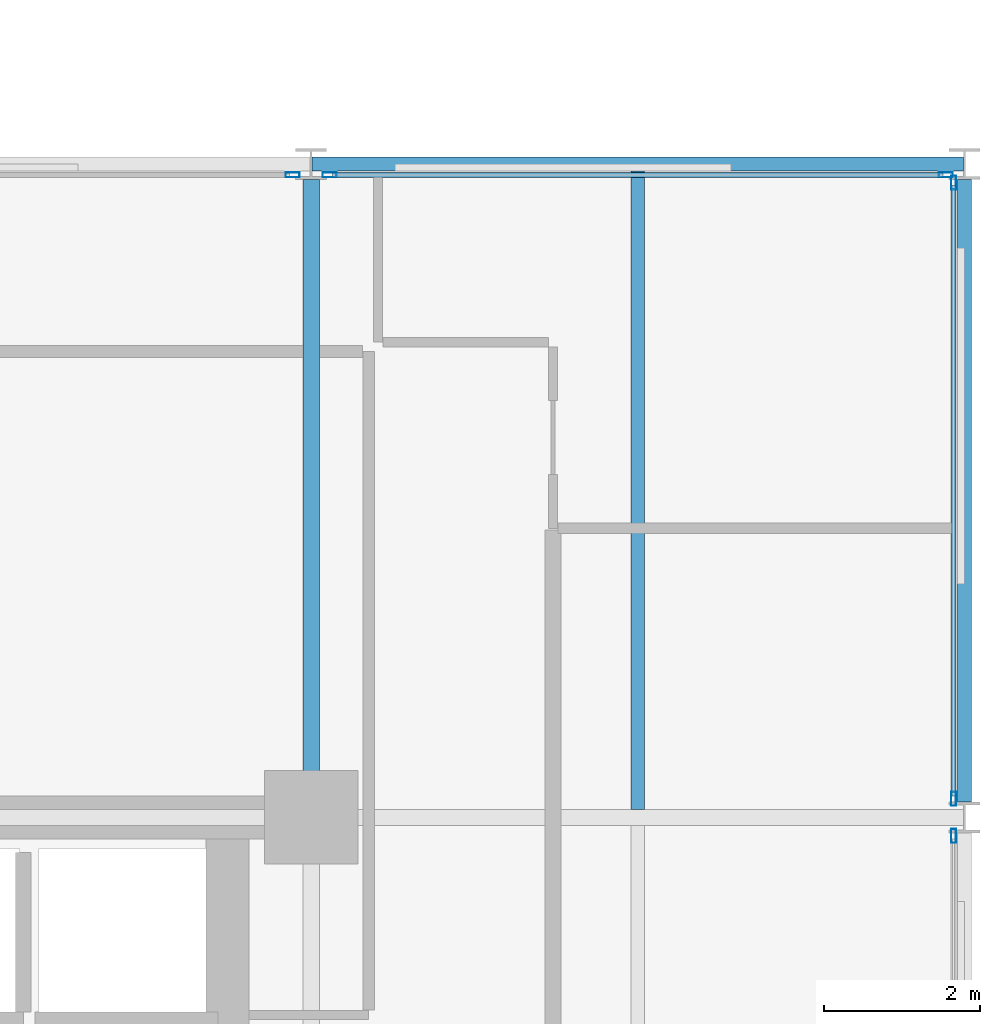
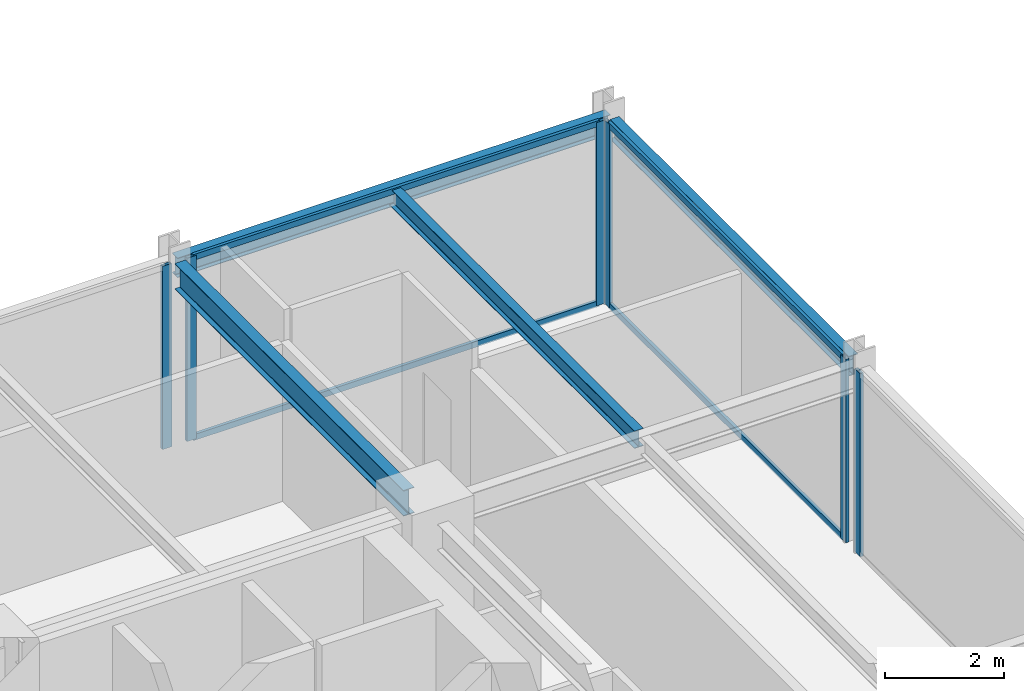
# One storey, part 15 of 29: 10 members, 4 beams, 4 elements without a shape of their own.
"""IFC4 building model written with IfcOpenShell, lengths in metres."""

from ifc_helpers import new_model, si_unit, direction, frame, origin, origin_2d, place, context, subcontext, project, spatial, hollow_rectangle, i_section, extrude, material, layer, layer_set, material_profile, profile_set, type_object, element, aggregate, save


model = new_model("IFC4")

# Units and contexts
model_context = context("Model", 3, precision=1e-05, world=origin(), true_north=direction((0.0, 1.0)))
body_context = subcontext(model_context, "Body", "Model", "MODEL_VIEW")
ifc_project = project(units=[si_unit("LENGTHUNIT", "METRE"), si_unit("AREAUNIT", "SQUARE_METRE"), si_unit("VOLUMEUNIT", "CUBIC_METRE"), si_unit("PLANEANGLEUNIT", "RADIAN"), si_unit("MASSUNIT", "GRAM", prefix="KILO")], contexts=[model_context])

# Site, building, storey
site_placement = place(None, origin())
site = spatial("IfcSite", under=ifc_project, at=site_placement, CompositionType="ELEMENT")
building_placement = place(site_placement, origin())
building = spatial("IfcBuilding", under=site, at=building_placement, Name="Nerrivon Quay Data Exchange", CompositionType="ELEMENT")
storey_placement = place(building_placement, frame((0.0, 0.0, 158.199951171875)))
storey = spatial("IfcBuildingStorey", under=building, at=storey_placement, Name="L37", CompositionType="ELEMENT", Elevation=158.199951171875)

# Beams
ifc_material_1 = material(Name="Steel Grade 350", Category="steel")
ifc_material_profile_1 = material_profile(ifc_material_1, i_section(OverallWidth=0.208984375, OverallDepth=0.528076171875, WebThickness=0.009521484375, FlangeThickness=0.01318359375, FilletRadius=0.013916015625, at=origin_2d()), Name="530UB82.0")
ifc_profile_set_1 = profile_set([ifc_material_profile_1], Name="Steel Grade 350")
beam_type_1 = type_object("IfcBeamType", Name="BM-G4-530UB82", PredefinedType="BEAM", material=ifc_profile_set_1)
beam_1_placement = place(storey_placement, frame((33.60009765625, 17.340087890625, 3.486083984375), z_axis=(0.0, 1.0, 0.0), x_axis=(-1.0, 0.0, 0.0)))
element("IfcBeam", 1, at=beam_1_placement, inside=storey, type_object=beam_type_1, Name="L37 NS Girder X=33.6 (16.8..25.2)", PredefinedType="BEAM", context=body_context, shape_type="SweptSolid", body=[
    extrude(i_section(OverallWidth=0.208984375, OverallDepth=0.528076171875, WebThickness=0.009521484375, FlangeThickness=0.01318359375, FilletRadius=0.013916015625, at=origin_2d()), origin(), (0.0, 0.0, 1.0), 7.659912109375),
])
ifc_material_profile_2 = material_profile(ifc_material_1, i_section(OverallWidth=0.1708984375, OverallDepth=0.35595703125, WebThickness=0.00732421875, FlangeThickness=0.011474609375, FilletRadius=0.011474609375, at=origin_2d()), Name="360UB50.7")
ifc_profile_set_2 = profile_set([ifc_material_profile_2], Name="Steel Grade 350")
beam_type_2 = type_object("IfcBeamType", Name="BM-J4-360UB51", PredefinedType="JOIST", material=ifc_profile_set_2)
beam_2_placement = place(storey_placement, frame((37.800048828125, 16.904541015625, 3.572021484375), z_axis=(0.0, 1.0, 0.0), x_axis=(-1.0, 0.0, 0.0)))
element("IfcBeam", 2, at=beam_2_placement, inside=storey, type_object=beam_type_2, Name="L37 Secondary Joist X=37.8 (16.8..25.2)", PredefinedType="JOIST", context=body_context, shape_type="SweptSolid", body=[
    extrude(i_section(OverallWidth=0.1708984375, OverallDepth=0.35595703125, WebThickness=0.00732421875, FlangeThickness=0.011474609375, FilletRadius=0.011474609375, at=origin_2d()), origin(), (0.0, 0.0, 1.0), 8.20654296875),
])
ifc_material_profile_3 = material_profile(ifc_material_1, i_section(OverallWidth=0.177978515625, OverallDepth=0.403076171875, WebThickness=0.007568359375, FlangeThickness=0.010986328125, FilletRadius=0.011474609375, at=origin_2d()), Name="410UB53.7")
ifc_profile_set_3 = profile_set([ifc_material_profile_3], Name="Steel Grade 350")
beam_type_3 = type_object("IfcBeamType", Name="BM-SP2-410UB54", PredefinedType="SPANDREL", material=ifc_profile_set_3)
beam_3_placement = place(storey_placement, frame((33.612548828125, 25.199951171875, 3.548583984375), z_axis=(1.0, 0.0, 0.0), x_axis=(0.0, 1.0, 0.0)))
element("IfcBeam", 3, at=beam_3_placement, inside=storey, type_object=beam_type_3, Name="L37 EW Girder Y=25.2 (33.6..42.0)", PredefinedType="SPANDREL", context=body_context, shape_type="SweptSolid", body=[
    extrude(i_section(OverallWidth=0.177978515625, OverallDepth=0.403076171875, WebThickness=0.007568359375, FlangeThickness=0.010986328125, FilletRadius=0.011474609375, at=origin_2d()), origin(), (0.0, 0.0, 1.0), 8.375),
])
beam_4_placement = place(storey_placement, frame((42.0, 17.0, 3.548583984375), z_axis=(0.0, 1.0, 0.0), x_axis=(-1.0, 0.0, 0.0)))
element("IfcBeam", 4, at=beam_4_placement, inside=storey, type_object=beam_type_3, Name="L37 NS Girder X=42.0 (16.8..25.2)", PredefinedType="SPANDREL", context=body_context, shape_type="SweptSolid", body=[
    extrude(i_section(OverallWidth=0.177978515625, OverallDepth=0.403076171875, WebThickness=0.007568359375, FlangeThickness=0.010986328125, FilletRadius=0.011474609375, at=origin_2d()), origin(), (0.0, 0.0, 1.0), 8.0),
])

# Curtain wall, member
ifc_material_2 = material(Name="Anodised aluminium 6063-T6", Category="aluminium")
ifc_layer = layer(ifc_material_2, 0.2099609375)
ifc_layer_set = layer_set([ifc_layer], Name="Anodised aluminium 6063-T6")
curtain_wall_type = type_object("IfcCurtainWallType", Name="CW-SYS-02", PredefinedType="NOTDEFINED", material=ifc_layer_set)
curtain_wall_1_placement = place(storey_placement, origin())
curtain_wall_1 = element("IfcCurtainWall", 5, at=curtain_wall_1_placement, inside=storey, type_object=curtain_wall_type, Name="L37 Unitised Curtain Wall 26", PredefinedType="NOTDEFINED")
ifc_material_profile_4 = material_profile(ifc_material_2, hollow_rectangle(XDim=0.06494140625, YDim=0.179931640625, WallThickness=0.00341796875, at=origin_2d()), Name="ALU-MULL-180x65")
ifc_profile_set_4 = profile_set([ifc_material_profile_4], Name="Anodised aluminium 6063-T6")
member_type_1 = type_object("IfcMemberType", Name="CWM-180x65", PredefinedType="MULLION", material=ifc_profile_set_4)
member_1_placement = place(storey_placement, frame((33.362548828125, 25.06005859375, 0.0), z_axis=(0.0, 0.0, 1.0), x_axis=(0.0, 1.0, 0.0)))
member_1 = element("IfcMember", 6, at=member_1_placement, type_object=member_type_1, Name="CW02 mullion 2", PredefinedType="MULLION", context=body_context, shape_type="SweptSolid", body=[
    extrude(hollow_rectangle(XDim=0.06494140625, YDim=0.179931640625, WallThickness=0.00341796875, at=origin_2d()), origin(), (0.0, 0.0, 1.0), 3.75),
])
aggregate(curtain_wall_1, [member_1])

# Curtain wall, members
curtain_wall_2_placement = place(storey_placement, origin())
curtain_wall_2 = element("IfcCurtainWall", 7, at=curtain_wall_2_placement, inside=storey, type_object=curtain_wall_type, Name="L37 Unitised Curtain Wall 27", PredefinedType="NOTDEFINED")
member_2_placement = place(storey_placement, frame((33.83740234375, 25.06005859375, 0.0), z_axis=(0.0, 0.0, 1.0), x_axis=(0.0, 1.0, 0.0)))
member_2 = element("IfcMember", 8, at=member_2_placement, type_object=member_type_1, Name="CW02 mullion 1", PredefinedType="MULLION", context=body_context, shape_type="SweptSolid", body=[
    extrude(hollow_rectangle(XDim=0.06494140625, YDim=0.179931640625, WallThickness=0.00341796875, at=origin_2d()), origin(), (0.0, 0.0, 1.0), 3.75),
])
member_3_placement = place(storey_placement, frame((41.762451171875, 25.06005859375, 0.0), z_axis=(0.0, 0.0, 1.0), x_axis=(0.0, 1.0, 0.0)))
member_3 = element("IfcMember", 9, at=member_3_placement, type_object=member_type_1, Name="CW02 mullion 2", PredefinedType="MULLION", context=body_context, shape_type="SweptSolid", body=[
    extrude(hollow_rectangle(XDim=0.06494140625, YDim=0.179931640625, WallThickness=0.00341796875, at=origin_2d()), origin(), (0.0, 0.0, 1.0), 3.75),
])

curtain_wall_3_placement = place(storey_placement, origin())
curtain_wall_3 = element("IfcCurtainWall", 10, at=curtain_wall_3_placement, inside=storey, type_object=curtain_wall_type, Name="L37 Unitised Curtain Wall 28", PredefinedType="NOTDEFINED")
member_4_placement = place(storey_placement, frame((41.860107421875, 24.96240234375, 0.0), z_axis=(0.0, 0.0, 1.0), x_axis=(1.0, 0.0, 0.0)))
member_4 = element("IfcMember", 11, at=member_4_placement, type_object=member_type_1, Name="CW02 mullion 1", PredefinedType="MULLION", context=body_context, shape_type="SweptSolid", body=[
    extrude(hollow_rectangle(XDim=0.06494140625, YDim=0.179931640625, WallThickness=0.00341796875, at=origin_2d()), origin(), (0.0, 0.0, 1.0), 3.75),
])
member_5_placement = place(storey_placement, frame((41.860107421875, 17.03759765625, 0.0), z_axis=(0.0, 0.0, 1.0), x_axis=(1.0, 0.0, 0.0)))
member_5 = element("IfcMember", 12, at=member_5_placement, type_object=member_type_1, Name="CW02 mullion 2", PredefinedType="MULLION", context=body_context, shape_type="SweptSolid", body=[
    extrude(hollow_rectangle(XDim=0.06494140625, YDim=0.179931640625, WallThickness=0.00341796875, at=origin_2d()), origin(), (0.0, 0.0, 1.0), 3.75),
])

# Curtain wall, member
curtain_wall_4_placement = place(storey_placement, origin())
curtain_wall_4 = element("IfcCurtainWall", 13, at=curtain_wall_4_placement, inside=storey, type_object=curtain_wall_type, Name="L37 Unitised Curtain Wall 29", PredefinedType="NOTDEFINED")
member_6_placement = place(storey_placement, frame((41.860107421875, 16.5625, 0.0), z_axis=(0.0, 0.0, 1.0), x_axis=(1.0, 0.0, 0.0)))
member_6 = element("IfcMember", 14, at=member_6_placement, type_object=member_type_1, Name="CW02 mullion 1", PredefinedType="MULLION", context=body_context, shape_type="SweptSolid", body=[
    extrude(hollow_rectangle(XDim=0.06494140625, YDim=0.179931640625, WallThickness=0.00341796875, at=origin_2d()), origin(), (0.0, 0.0, 1.0), 3.75),
])
aggregate(curtain_wall_4, [member_6])

# Member
ifc_material_profile_5 = material_profile(ifc_material_2, hollow_rectangle(XDim=0.06005859375, YDim=0.1201171875, WallThickness=0.003173828125, at=origin_2d()), Name="ALU-TRAN-120x60")
ifc_profile_set_5 = profile_set([ifc_material_profile_5], Name="Anodised aluminium 6063-T6")
member_type_2 = type_object("IfcMemberType", Name="CWT-120x60", PredefinedType="USERDEFINED", material=ifc_profile_set_5)
member_7_placement = place(storey_placement, frame((33.875, 25.06005859375, 0.032470703125), z_axis=(1.0, 0.0, 0.0), x_axis=(0.0, 1.0, 0.0)))
member_7 = element("IfcMember", 15, at=member_7_placement, type_object=member_type_2, Name="CW02 transom 1.1", ObjectType="TRANSOM", PredefinedType="USERDEFINED", context=body_context, shape_type="SweptSolid", body=[
    extrude(hollow_rectangle(XDim=0.06005859375, YDim=0.1201171875, WallThickness=0.003173828125, at=origin_2d()), origin(), (0.0, 0.0, 1.0), 7.85009765625),
])

member_8_placement = place(storey_placement, frame((33.875, 25.06005859375, 3.717529296875), z_axis=(1.0, 0.0, 0.0), x_axis=(0.0, 1.0, 0.0)))
member_8 = element("IfcMember", 16, at=member_8_placement, type_object=member_type_2, Name="CW02 transom 1.2", ObjectType="TRANSOM", PredefinedType="USERDEFINED", context=body_context, shape_type="SweptSolid", body=[
    extrude(hollow_rectangle(XDim=0.06005859375, YDim=0.1201171875, WallThickness=0.003173828125, at=origin_2d()), origin(), (0.0, 0.0, 1.0), 7.85009765625),
])

aggregate(curtain_wall_2, [member_2, member_3, member_7, member_8])

member_9_placement = place(storey_placement, frame((41.860107421875, 24.925048828125, 0.032470703125), z_axis=(0.0, -1.0, 0.0), x_axis=(1.0, 0.0, 0.0)))
member_9 = element("IfcMember", 17, at=member_9_placement, type_object=member_type_2, Name="CW02 transom 1.1", ObjectType="TRANSOM", PredefinedType="USERDEFINED", context=body_context, shape_type="SweptSolid", body=[
    extrude(hollow_rectangle(XDim=0.06005859375, YDim=0.1201171875, WallThickness=0.003173828125, at=origin_2d()), origin(), (0.0, 0.0, 1.0), 7.85009765625),
])

member_10_placement = place(storey_placement, frame((41.860107421875, 24.925048828125, 3.717529296875), z_axis=(0.0, -1.0, 0.0), x_axis=(1.0, 0.0, 0.0)))
member_10 = element("IfcMember", 18, at=member_10_placement, type_object=member_type_2, Name="CW02 transom 1.2", ObjectType="TRANSOM", PredefinedType="USERDEFINED", context=body_context, shape_type="SweptSolid", body=[
    extrude(hollow_rectangle(XDim=0.06005859375, YDim=0.1201171875, WallThickness=0.003173828125, at=origin_2d()), origin(), (0.0, 0.0, 1.0), 7.85009765625),
])

aggregate(curtain_wall_3, [member_4, member_5, member_9, member_10])

save(model, "model.ifc")
